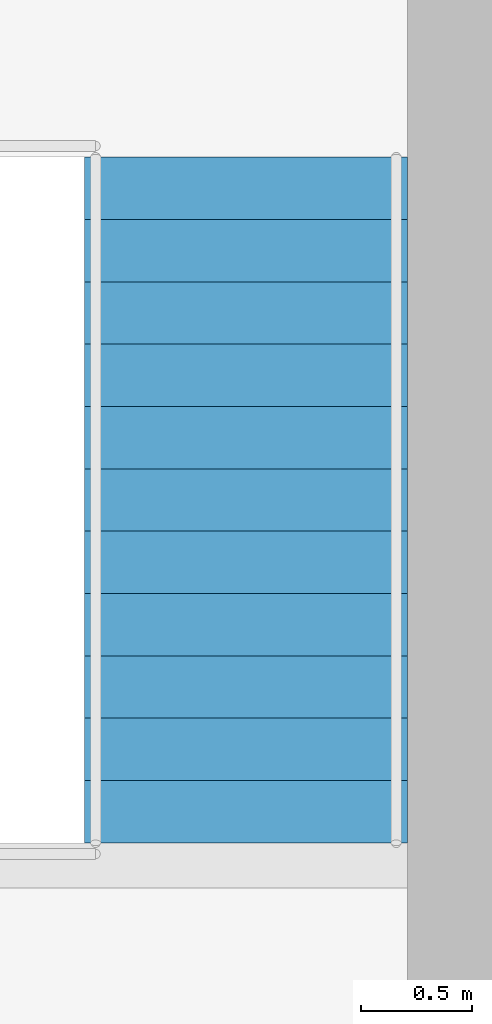
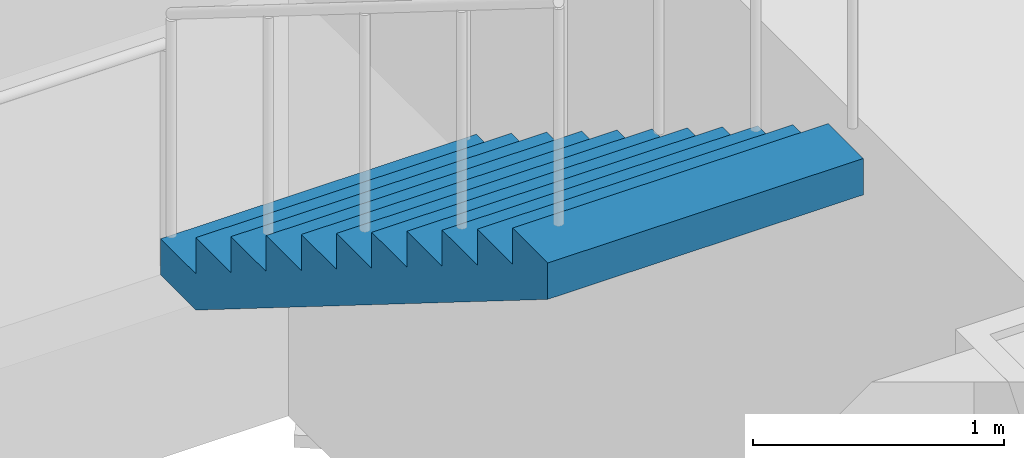
# One storey, part 11 of 17: 1 stair flight, 1 element without a shape of its own.
"""IFC4 building model written with IfcOpenShell, lengths in metres."""

from ifc_helpers import new_model, si_unit, direction, frame, origin, place, context, subcontext, project, spatial, polyline, outline, extrude, material, type_object, element, aggregate, save


model = new_model("IFC4")

# Units and contexts
model_context = context("Model", 3, precision=1e-05, world=origin(), true_north=direction((0.0, 1.0)))
body_context = subcontext(model_context, "Body", "Model", "MODEL_VIEW")
ifc_project = project(units=[si_unit("LENGTHUNIT", "METRE"), si_unit("AREAUNIT", "SQUARE_METRE"), si_unit("VOLUMEUNIT", "CUBIC_METRE"), si_unit("PLANEANGLEUNIT", "RADIAN"), si_unit("MASSUNIT", "GRAM", prefix="KILO")], contexts=[model_context])

# Site, building, storey
site_placement = place(None, origin())
site = spatial("IfcSite", under=ifc_project, at=site_placement, CompositionType="ELEMENT")
building_placement = place(site_placement, origin())
building = spatial("IfcBuilding", under=site, at=building_placement, Name="Daluyong Arena Tower", CompositionType="ELEMENT")
storey_placement = place(building_placement, frame((0.0, 0.0, 85.300048828125)))
storey = spatial("IfcBuildingStorey", under=building, at=storey_placement, Name="L18", CompositionType="ELEMENT", Elevation=85.300048828125)

# Stair, stair flight
ifc_material_1 = material(Name="Concrete fc' 35 MPa", Category="concrete")
stair_type = type_object("IfcStairType", Name="Core exit stair", PredefinedType="HALF_TURN_STAIR", material=ifc_material_1)
stair_placement = place(storey_placement, origin())
stair = element("IfcStair", 1, at=stair_placement, inside=storey, type_object=stair_type, Name="exit stair B L18", PredefinedType="HALF_TURN_STAIR")
ifc_material_2 = material(Name="Concrete fc' 35 MPa", Category="concrete")
stair_flight_type = type_object("IfcStairFlightType", Name="Core stair flight", PredefinedType="STRAIGHT", material=ifc_material_2)
stair_flight_placement = place(storey_placement, frame((66.675048828125, 86.905029296875, 2.099853515625), z_axis=(0.0, 0.0, 1.0), x_axis=(0.0, -1.0, 0.0)))
stair_flight = element("IfcStairFlight", 2, at=stair_flight_placement, type_object=stair_flight_type, Name="STB flight 2", NumberOfRisers=12, NumberOfTreads=11, PredefinedType="STRAIGHT", RiserHeight=0.175, TreadLength=0.28, context=body_context, shape_type="SweptSolid", body=[
    extrude(outline(polyline([(0.0, 0.0), (0.0, 0.175048828125), (0.280029296875, 0.175048828125), (0.280029296875, 0.35009765625), (0.56005859375, 0.35009765625), (0.56005859375, 0.52490234375), (0.840087890625, 0.52490234375), (0.840087890625, 0.699951171875), (1.1201171875, 0.699951171875), (1.1201171875, 0.875), (1.39990234375, 0.875), (1.39990234375, 1.050048828125), (1.679931640625, 1.050048828125), (1.679931640625, 1.22509765625), (1.9599609375, 1.22509765625), (1.9599609375, 1.39990234375), (2.239990234375, 1.39990234375), (2.239990234375, 1.574951171875), (2.52001953125, 1.574951171875), (2.52001953125, 1.75), (2.800048828125, 1.75), (2.800048828125, 1.925048828125), (3.080078125, 1.925048828125), (3.080078125, 2.10009765625), (3.080078125, 1.748291015625), (0.28271484375, 0.0), (0.0, 0.0)])), frame((0.0, 0.72509765625, 0.0), z_axis=(0.0, -1.0, 0.0), x_axis=(1.0, 0.0, 0.0)), (0.0, 0.0, 1.0), 1.449951171875),
])
aggregate(stair, [stair_flight])

save(model, "model.ifc")
